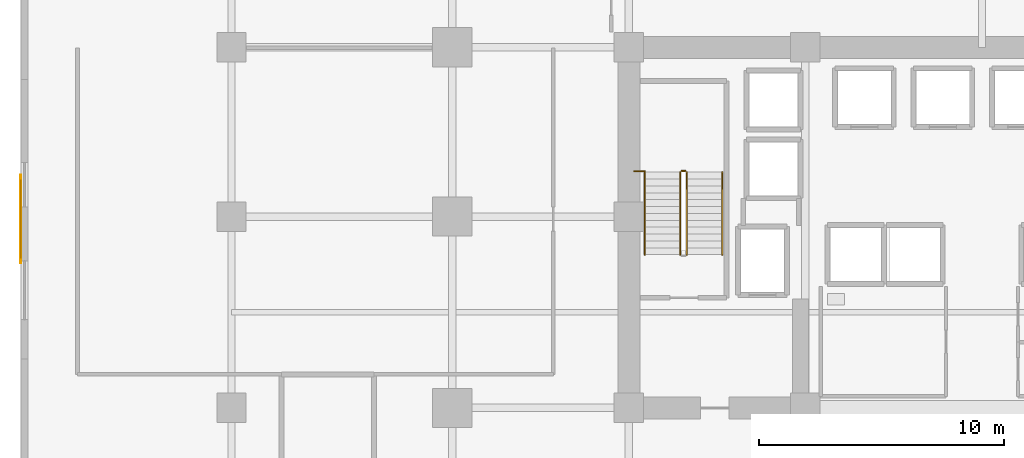
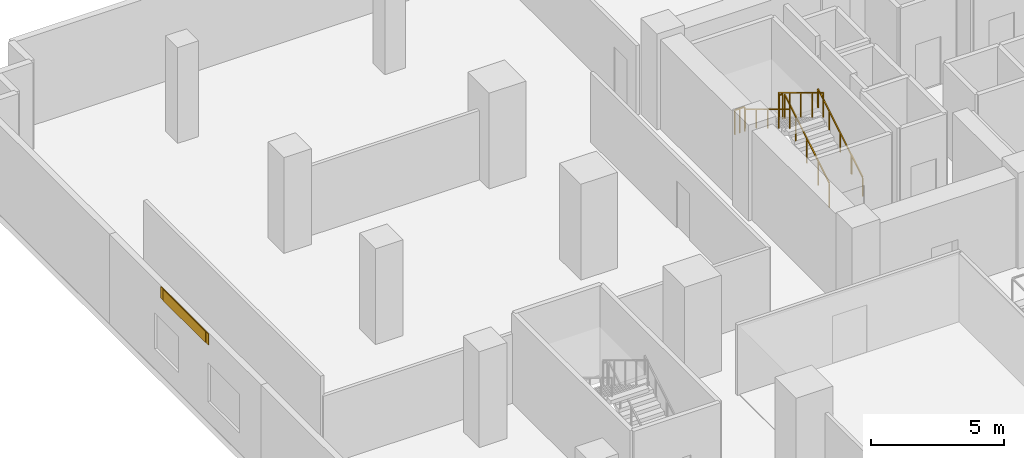
# One storey, part 19 of 21: 6 railings, 1 covering, 1 shading device.
"""IFC4 building model written with IfcOpenShell, lengths in metres."""

from ifc_helpers import new_model, si_unit, direction, frame, origin, origin_2d, place, context, subcontext, project, spatial, rectangle, extrude, source, transform, mapped, material, layer, layer_set, type_object, element, save


model = new_model("IFC4")

# Units and contexts
model_context = context("Model", 3, precision=1e-05, world=origin(), true_north=direction((0.0, 1.0)))
body_context = subcontext(model_context, "Body", "Model", "MODEL_VIEW")
ifc_project = project(units=[si_unit("LENGTHUNIT", "METRE"), si_unit("AREAUNIT", "SQUARE_METRE"), si_unit("VOLUMEUNIT", "CUBIC_METRE"), si_unit("PLANEANGLEUNIT", "RADIAN"), si_unit("MASSUNIT", "GRAM", prefix="KILO")], contexts=[model_context])

# Site, building, storey
site_placement = place(None, origin())
site = spatial("IfcSite", under=ifc_project, at=site_placement, CompositionType="ELEMENT")
building_placement = place(site_placement, origin())
building = spatial("IfcBuilding", under=site, at=building_placement, Name="Zarnakvel Exchange Tower", CompositionType="ELEMENT")
storey_placement = place(building_placement, frame((0.0, 0.0, 5.0)))
storey = spatial("IfcBuildingStorey", under=building, at=storey_placement, Name="L01", CompositionType="ELEMENT", Elevation=5.0)

# Railings
ifc_material_1 = material(Name="Brushed Stainless Steel", Category="steel")
railing_type_1 = type_object("IfcRailingType", Name="HR-01", PredefinedType="HANDRAIL", material=ifc_material_1)
railing_1_placement = place(storey_placement, frame((-10.590087890625, 5.050048828125, 0.169189453125)))
element("IfcRailing", 1, at=railing_1_placement, inside=storey, type_object=railing_type_1, Name="L01 ST-01 stair handrail 1", PredefinedType="HANDRAIL", context=body_context, shape_type="SweptSolid", body=[
    extrude(rectangle(XDim=0.048095703125, YDim=0.048095703125, at=origin_2d()), frame((0.0, 0.0, 0.8759765625), z_axis=(0.0, 0.855820338506, 0.51727318527), x_axis=(-1.0, 0.0, 0.0)), (0.0, 0.0, 1.0), 3.92578125),
    extrude(rectangle(XDim=0.0419921875, YDim=0.0419921875, at=origin_2d()), origin(), (0.0, 0.0, 1.0), 0.851806640625),
    extrude(rectangle(XDim=0.0419921875, YDim=0.0419921875, at=origin_2d()), frame((0.0, 0.83984375, 0.5078125)), (0.0, 0.0, 1.0), 0.851806640625),
    extrude(rectangle(XDim=0.0419921875, YDim=0.0419921875, at=origin_2d()), frame((0.0, 1.679931640625, 1.015380859375)), (0.0, 0.0, 1.0), 0.851806640625),
    extrude(rectangle(XDim=0.0419921875, YDim=0.0419921875, at=origin_2d()), frame((0.0, 2.52001953125, 1.52294921875)), (0.0, 0.0, 1.0), 0.851806640625),
    extrude(rectangle(XDim=0.0419921875, YDim=0.0419921875, at=origin_2d()), frame((0.0, 3.35986328125, 2.03076171875)), (0.0, 0.0, 1.0), 0.851806640625),
])
railing_2_placement = place(storey_placement, frame((-13.75, 8.409912109375, 2.369140625)))
element("IfcRailing", 2, at=railing_2_placement, inside=storey, type_object=railing_type_1, Name="L01 ST-01 stair handrail 2", PredefinedType="HANDRAIL", context=body_context, shape_type="SweptSolid", body=[
    extrude(rectangle(XDim=0.048095703125, YDim=0.048095703125, at=origin_2d()), frame((0.0, 0.0, 0.8759765625), z_axis=(0.0, -0.855820338506, 0.51727318527), x_axis=(1.0, 0.0, 0.0)), (0.0, 0.0, 1.0), 3.92578125),
    extrude(rectangle(XDim=0.0419921875, YDim=0.0419921875, at=origin_2d()), origin(), (0.0, 0.0, 1.0), 0.851806640625),
    extrude(rectangle(XDim=0.0419921875, YDim=0.0419921875, at=origin_2d()), frame((0.0, -0.83984375, 0.5078125)), (0.0, 0.0, 1.0), 0.851806640625),
    extrude(rectangle(XDim=0.0419921875, YDim=0.0419921875, at=origin_2d()), frame((0.0, -1.679931640625, 1.015380859375)), (0.0, 0.0, 1.0), 0.851806640625),
    extrude(rectangle(XDim=0.0419921875, YDim=0.0419921875, at=origin_2d()), frame((0.0, -2.52001953125, 1.52294921875)), (0.0, 0.0, 1.0), 0.851806640625),
    extrude(rectangle(XDim=0.0419921875, YDim=0.0419921875, at=origin_2d()), frame((0.0, -3.35986328125, 2.03076171875)), (0.0, 0.0, 1.0), 0.851806640625),
])
ifc_material_2 = material(Name="Architectural Bronze Anodised Aluminium", Category="aluminium")
railing_type_2 = type_object("IfcRailingType", Name="SG-01", PredefinedType="GUARDRAIL", material=ifc_material_2)
railing_3_placement = place(storey_placement, frame((-12.0400390625, 5.050048828125, 0.169189453125)))
element("IfcRailing", 3, at=railing_3_placement, inside=storey, type_object=railing_type_2, Name="L01 ST-01 stair guard 1", PredefinedType="GUARDRAIL", context=body_context, shape_type="SweptSolid", body=[
    extrude(rectangle(XDim=0.048095703125, YDim=0.048095703125, at=origin_2d()), frame((0.0, 0.0, 1.1259765625), z_axis=(0.0, 0.855820338506, 0.51727318527), x_axis=(-1.0, 0.0, 0.0)), (0.0, 0.0, 1.0), 3.92578125),
    extrude(rectangle(XDim=0.0419921875, YDim=0.0419921875, at=origin_2d()), origin(), (0.0, 0.0, 1.0), 1.101806640625),
    extrude(rectangle(XDim=0.0419921875, YDim=0.0419921875, at=origin_2d()), frame((0.0, 0.83984375, 0.5078125)), (0.0, 0.0, 1.0), 1.101806640625),
    extrude(rectangle(XDim=0.0419921875, YDim=0.0419921875, at=origin_2d()), frame((0.0, 1.679931640625, 1.015380859375)), (0.0, 0.0, 1.0), 1.101806640625),
    extrude(rectangle(XDim=0.0419921875, YDim=0.0419921875, at=origin_2d()), frame((0.0, 2.52001953125, 1.52294921875)), (0.0, 0.0, 1.0), 1.101806640625),
    extrude(rectangle(XDim=0.0419921875, YDim=0.0419921875, at=origin_2d()), frame((0.0, 3.35986328125, 2.03076171875)), (0.0, 0.0, 1.0), 1.101806640625),
])
railing_4_placement = place(storey_placement, frame((-12.090087890625, 8.4599609375, 2.199951171875)))
element("IfcRailing", 4, at=railing_4_placement, inside=storey, type_object=railing_type_2, Name="L01 ST-01 stair guard 2", PredefinedType="GUARDRAIL", context=body_context, shape_type="SweptSolid", body=[
    extrude(rectangle(XDim=0.048095703125, YDim=0.048095703125, at=origin_2d()), frame((0.0, 0.0, 1.1259765625), z_axis=(-1.0, 0.0, 0.0), x_axis=(0.0, -1.0, 0.0)), (0.0, 0.0, 1.0), 0.159912109375),
    extrude(rectangle(XDim=0.0419921875, YDim=0.0419921875, at=origin_2d()), origin(), (0.0, 0.0, 1.0), 1.101806640625),
    extrude(rectangle(XDim=0.0419921875, YDim=0.0419921875, at=origin_2d()), frame((-0.159912109375, 0.0, 0.0)), (0.0, 0.0, 1.0), 1.101806640625),
])
railing_5_placement = place(storey_placement, frame((-12.300048828125, 8.409912109375, 2.369140625)))
element("IfcRailing", 5, at=railing_5_placement, inside=storey, type_object=railing_type_2, Name="L01 ST-01 stair guard 3", PredefinedType="GUARDRAIL", context=body_context, shape_type="SweptSolid", body=[
    extrude(rectangle(XDim=0.048095703125, YDim=0.048095703125, at=origin_2d()), frame((0.0, 0.0, 1.1259765625), z_axis=(0.0, -0.855820338506, 0.51727318527), x_axis=(1.0, 0.0, 0.0)), (0.0, 0.0, 1.0), 3.92578125),
    extrude(rectangle(XDim=0.0419921875, YDim=0.0419921875, at=origin_2d()), origin(), (0.0, 0.0, 1.0), 1.101806640625),
    extrude(rectangle(XDim=0.0419921875, YDim=0.0419921875, at=origin_2d()), frame((0.0, -0.83984375, 0.5078125)), (0.0, 0.0, 1.0), 1.101806640625),
    extrude(rectangle(XDim=0.0419921875, YDim=0.0419921875, at=origin_2d()), frame((0.0, -1.679931640625, 1.015380859375)), (0.0, 0.0, 1.0), 1.101806640625),
    extrude(rectangle(XDim=0.0419921875, YDim=0.0419921875, at=origin_2d()), frame((0.0, -2.52001953125, 1.52294921875)), (0.0, 0.0, 1.0), 1.101806640625),
    extrude(rectangle(XDim=0.0419921875, YDim=0.0419921875, at=origin_2d()), frame((0.0, -3.35986328125, 2.03076171875)), (0.0, 0.0, 1.0), 1.101806640625),
])
railing_6_placement = place(storey_placement, frame((-14.179931640625, 8.449951171875, 2.199951171875)))
element("IfcRailing", 6, at=railing_6_placement, inside=storey, type_object=railing_type_2, Name="L01 ST-01 Landing Slot Guardrail", PredefinedType="GUARDRAIL", context=body_context, shape_type="SweptSolid", body=[
    extrude(rectangle(XDim=0.048095703125, YDim=0.048095703125, at=origin_2d()), frame((0.0, 0.0, 1.1259765625), z_axis=(1.0, 0.0, 0.0), x_axis=(0.0, 1.0, 0.0)), (0.0, 0.0, 1.0), 0.429931640625),
    extrude(rectangle(XDim=0.0419921875, YDim=0.0419921875, at=origin_2d()), origin(), (0.0, 0.0, 1.0), 1.101806640625),
    extrude(rectangle(XDim=0.0419921875, YDim=0.0419921875, at=origin_2d()), frame((0.21484375, 0.0, 0.0)), (0.0, 0.0, 1.0), 1.101806640625),
    extrude(rectangle(XDim=0.0419921875, YDim=0.0419921875, at=origin_2d()), frame((0.429931640625, 0.0, 0.0)), (0.0, 0.0, 1.0), 1.101806640625),
])

# Shading device
ifc_material_3 = material(Name="Perforated Architectural Bronze Screen", Category="aluminium")
ifc_layer_1 = layer(ifc_material_3, 0.044921875)
ifc_layer_set_1 = layer_set([ifc_layer_1], Name="Perforated Architectural Bronze Screen")
shading_device_type = type_object("IfcShadingDeviceType", Name="SS-01", PredefinedType="JALOUSIE", material=ifc_layer_set_1)
shared_shape_1 = source(origin(), body_context, "Body", "SweptSolid", [
    extrude(rectangle(XDim=3.199951171875, YDim=0.044921875, at=origin_2d()), origin(), (0.0, 0.0, 1.0), 0.52001953125),
])
shading_device_placement = place(storey_placement, frame((-39.200439453125, 6.5, 3.56005859375), z_axis=(0.0, 0.0, 1.0), x_axis=(0.0, 1.0, 0.0)))
element("IfcShadingDevice", 7, at=shading_device_placement, inside=storey, type_object=shading_device_type, Name="L01 Bronze Solar Shading Screen SS-01", PredefinedType="JALOUSIE", context=body_context, shape_type="MappedRepresentation", body=[
    mapped(shared_shape_1, transform((0.0, 0.0, 0.0), x_axis=(1.0, 0.0, 0.0), y_axis=(0.0, 1.0, 0.0), z_axis=(0.0, 0.0, 1.0), scale=1.0)),
])

# Covering
ifc_material_4 = material(Name="Warm Sandstone Terracotta Spandrel Tile", Category="masonry")
ifc_layer_2 = layer(ifc_material_4, 0.031982421875)
ifc_layer_set_2 = layer_set([ifc_layer_2], Name="Warm Sandstone Terracotta Spandrel Tile")
covering_type = type_object("IfcCoveringType", Name="CL-02", PredefinedType="CLADDING", material=ifc_layer_set_2)
shared_shape_2 = source(origin(), body_context, "Body", "SweptSolid", [
    extrude(rectangle(XDim=3.60009765625, YDim=0.031982421875, at=origin_2d()), origin(), (0.0, 0.0, 1.0), 0.52001953125),
])
covering_placement = place(storey_placement, frame((-39.194091796875, 6.5, 3.56005859375), z_axis=(0.0, 0.0, 1.0), x_axis=(0.0, 1.0, 0.0)))
element("IfcCovering", 8, at=covering_placement, inside=storey, type_object=covering_type, Name="L01 Ceramic Spandrel Tilework CL-02", PredefinedType="CLADDING", context=body_context, shape_type="MappedRepresentation", body=[
    mapped(shared_shape_2, transform((0.0, 0.0, 0.0), x_axis=(1.0, 0.0, 0.0), y_axis=(0.0, 1.0, 0.0), z_axis=(0.0, 0.0, 1.0), scale=1.0)),
])

save(model, "model.ifc")
